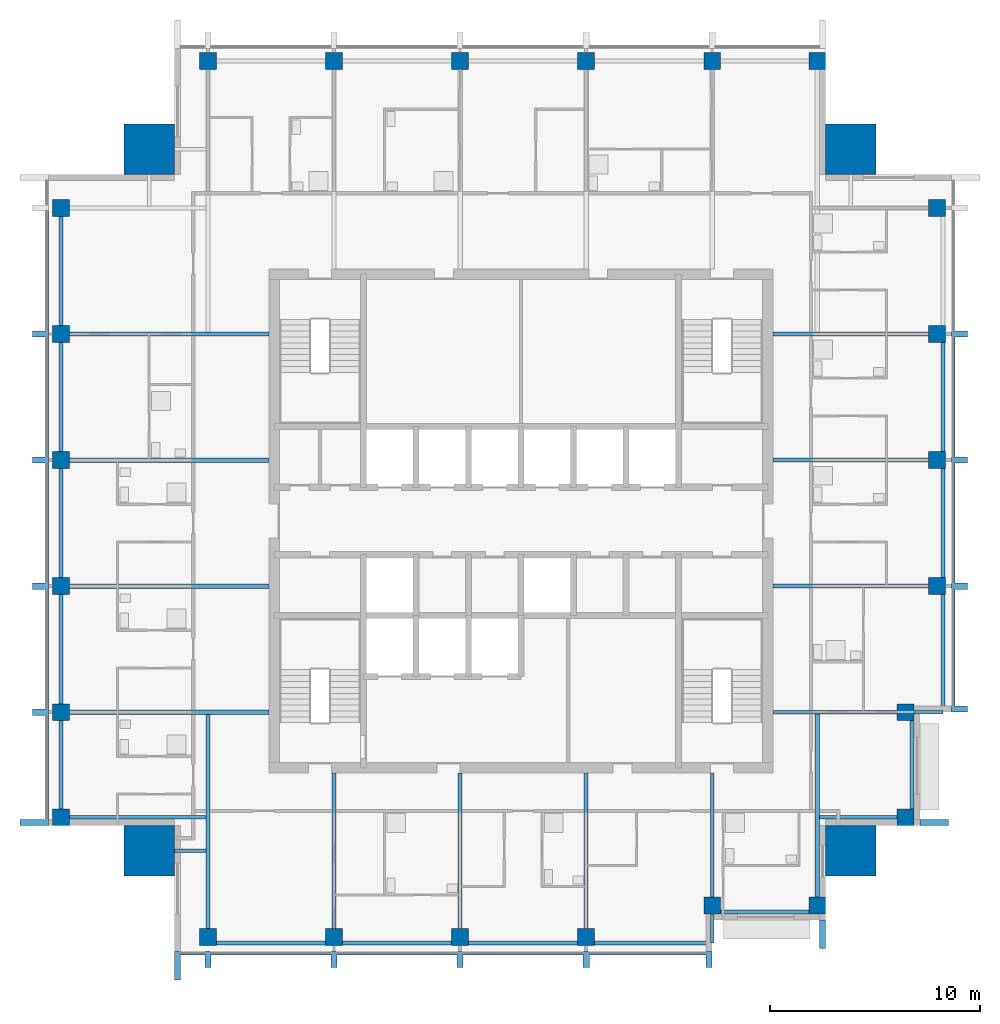
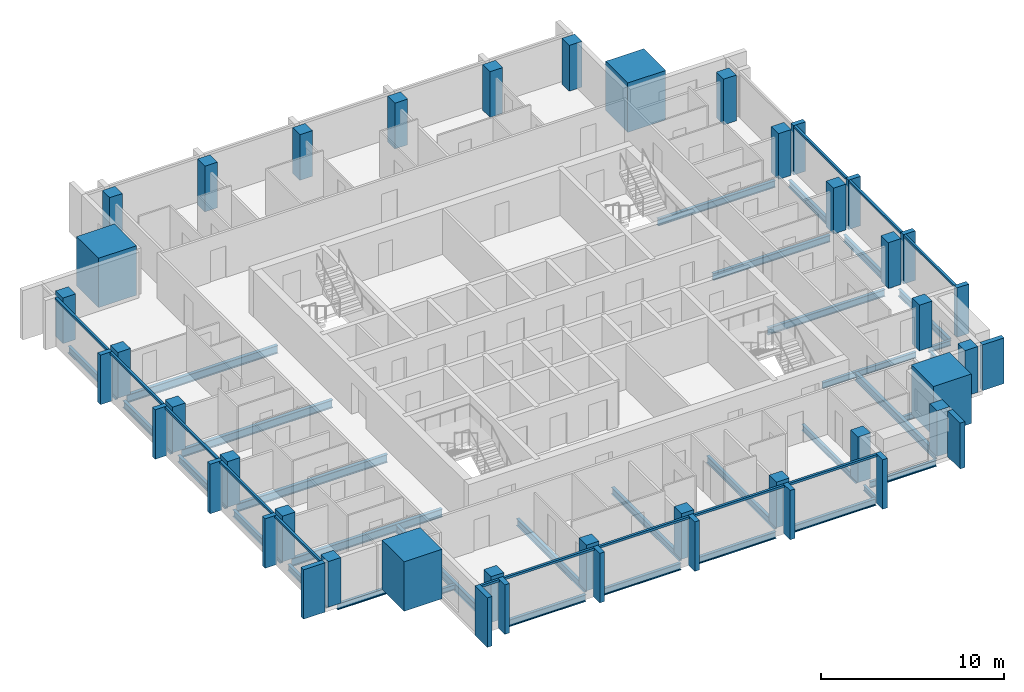
# One storey, part 1 of 9: 33 beams, 30 members, 28 columns, 3 elements without a shape of their own.
"""IFC4 building model written with IfcOpenShell, lengths in metres."""

from ifc_helpers import new_model, si_unit, direction, frame, origin, origin_2d, place, context, subcontext, project, spatial, rectangle, i_section, extrude, material, material_profile, profile_set, type_object, element, aggregate, save


model = new_model("IFC4")

# Units and contexts
model_context = context("Model", 3, precision=1e-05, world=origin(), true_north=direction((0.0, 1.0)))
body_context = subcontext(model_context, "Body", "Model", "MODEL_VIEW")
ifc_project = project(units=[si_unit("LENGTHUNIT", "METRE"), si_unit("AREAUNIT", "SQUARE_METRE"), si_unit("VOLUMEUNIT", "CUBIC_METRE"), si_unit("PLANEANGLEUNIT", "RADIAN"), si_unit("MASSUNIT", "GRAM", prefix="KILO")], contexts=[model_context])

# Site, building, storey
site_placement = place(None, origin())
site = spatial("IfcSite", under=ifc_project, at=site_placement, CompositionType="ELEMENT")
building_placement = place(site_placement, origin())
building = spatial("IfcBuilding", under=site, at=building_placement, Name="Amberfall Residences", CompositionType="ELEMENT")
storey_placement = place(building_placement, frame((0.0, 0.0, 245.5)))
storey = spatial("IfcBuildingStorey", under=building, at=storey_placement, Name="L65", CompositionType="ELEMENT", Elevation=245.5)

# Columns
ifc_material_1 = material(Name="Concrete C50", Category="concrete")
ifc_material_profile_1 = material_profile(ifc_material_1, rectangle(XDim=0.800048828125, YDim=0.800048828125, at=origin_2d()), Name="Column 800 x 800 C50")
ifc_profile_set_1 = profile_set([ifc_material_profile_1], Name="Concrete C50")
column_type_1 = type_object("IfcColumnType", Name="Column 800 x 800 C50", PredefinedType="COLUMN", material=ifc_profile_set_1)
for number, where, z_axis, x_axis, name in (
    (1, (59.60009765625, 25.699951171875, 0.0), (0.0, 0.0, 1.0), (1.0, 0.0, 0.0), "Column C5 L65 S1"),
    (2, (65.60009765625, 25.699951171875, 0.0), (0.0, 0.0, 1.0), (1.0, 0.0, 0.0), "Column C5 L65 S2"),
    (3, (71.60009765625, 25.699951171875, 0.0), (0.0, 0.0, 1.0), (1.0, 0.0, 0.0), "Column C5 L65 S3"),
    (4, (77.60009765625, 25.699951171875, 0.0), (0.0, 0.0, 1.0), (1.0, 0.0, 0.0), "Column C5 L65 S4"),
    (5, (83.60009765625, 27.199951171875, 0.0), (0.0, 0.0, 1.0), (1.0, 0.0, 0.0), "Column C5 L65 S5"),
    (6, (88.60009765625, 27.199951171875, 0.0), (0.0, 0.0, 1.0), (1.0, 0.0, 0.0), "Column C5 L65 S6"),
    (7, (92.800048828125, 31.39990234375, 0.0), (0.0, 0.0, 1.0), (1.0, 0.0, 0.0), "Column C5 L65 E1"),
    (8, (92.800048828125, 36.39990234375, 0.0), (0.0, 0.0, 1.0), (1.0, 0.0, 0.0), "Column C5 L65 E2"),
    (9, (94.300048828125, 42.39990234375, 0.0), (0.0, 0.0, 1.0), (1.0, 0.0, 0.0), "Column C5 L65 E3"),
    (10, (94.300048828125, 48.39990234375, 0.0), (0.0, 0.0, 1.0), (1.0, 0.0, 0.0), "Column C5 L65 E4"),
    (11, (94.300048828125, 54.39990234375, 0.0), (0.0, 0.0, 1.0), (1.0, 0.0, 0.0), "Column C5 L65 E5"),
    (12, (94.300048828125, 60.39990234375, 0.0), (0.0, 0.0, 1.0), (1.0, 0.0, 0.0), "Column C5 L65 E6"),
    (13, (59.60009765625, 67.39990234375, 0.0), (0.0, 0.0, 1.0), (1.0, 0.0, 0.0), "Column C5 L65 N1"),
    (14, (65.60009765625, 67.39990234375, 0.0), (0.0, 0.0, 1.0), (1.0, 0.0, 0.0), "Column C5 L65 N2"),
    (15, (71.60009765625, 67.39990234375, 0.0), (0.0, 0.0, 1.0), (1.0, 0.0, 0.0), "Column C5 L65 N3"),
    (16, (77.60009765625, 67.39990234375, 0.0), (0.0, 0.0, 1.0), (1.0, 0.0, 0.0), "Column C5 L65 N4"),
    (17, (83.60009765625, 67.39990234375, 0.0), (0.0, 0.0, 1.0), (1.0, 0.0, 0.0), "Column C5 L65 N5"),
    (18, (88.60009765625, 67.39990234375, 0.0), (0.0, 0.0, 1.0), (1.0, 0.0, 0.0), "Column C5 L65 N6"),
    (19, (52.60009765625, 31.39990234375, 0.0), (0.0, 0.0, 1.0), (1.0, 0.0, 0.0), "Column C5 L65 W1"),
    (20, (52.60009765625, 36.39990234375, 0.0), (0.0, 0.0, 1.0), (1.0, 0.0, 0.0), "Column C5 L65 W2"),
    (21, (52.60009765625, 42.39990234375, 0.0), (0.0, 0.0, 1.0), (1.0, 0.0, 0.0), "Column C5 L65 W3"),
    (22, (52.60009765625, 48.39990234375, 0.0), (0.0, 0.0, 1.0), (1.0, 0.0, 0.0), "Column C5 L65 W4"),
    (23, (52.60009765625, 54.39990234375, 0.0), (0.0, 0.0, 1.0), (1.0, 0.0, 0.0), "Column C5 L65 W5"),
    (24, (52.60009765625, 60.39990234375, 0.0), (0.0, 0.0, 1.0), (1.0, 0.0, 0.0), "Column C5 L65 W6"),
):
    element("IfcColumn", number, at=place(storey_placement, frame(where, z_axis=z_axis, x_axis=x_axis)), inside=storey, type_object=column_type_1, Name=name, PredefinedType="COLUMN", context=body_context, shape_type="SweptSolid", body=[
        extrude(rectangle(XDim=0.800048828125, YDim=0.800048828125, at=origin_2d()), origin(), (0.0, 0.0, 1.0), 3.050048828125),
    ])
ifc_material_profile_2 = material_profile(ifc_material_1, rectangle(XDim=2.39990234375, YDim=2.39990234375, at=origin_2d()), Name="Mega column 2400 x 2400 C50")
ifc_profile_set_2 = profile_set([ifc_material_profile_2], Name="Concrete C50")
column_type_2 = type_object("IfcColumnType", Name="Mega column 2400 x 2400 C50", PredefinedType="COLUMN", material=ifc_profile_set_2)
for number, where, z_axis, x_axis, name in (
    (25, (56.800048828125, 29.800048828125, 0.0), (0.0, 0.0, 1.0), (1.0, 0.0, 0.0), "Mega column MC11 L65 SW"),
    (26, (90.199951171875, 29.800048828125, 0.0), (0.0, 0.0, 1.0), (1.0, 0.0, 0.0), "Mega column MC11 L65 SE"),
    (27, (90.199951171875, 63.199951171875, 0.0), (0.0, 0.0, 1.0), (1.0, 0.0, 0.0), "Mega column MC11 L65 NE"),
    (28, (56.800048828125, 63.199951171875, 0.0), (0.0, 0.0, 1.0), (1.0, 0.0, 0.0), "Mega column MC11 L65 NW"),
):
    element("IfcColumn", number, at=place(storey_placement, frame(where, z_axis=z_axis, x_axis=x_axis)), inside=storey, type_object=column_type_2, Name=name, PredefinedType="COLUMN", context=body_context, shape_type="SweptSolid", body=[
        extrude(rectangle(XDim=2.39990234375, YDim=2.39990234375, at=origin_2d()), origin(), (0.0, 0.0, 1.0), 3.300048828125),
    ])

# Curtain wall, members
ifc_material_2 = material(Name="Bronze anodised aluminium and glass", Category="aluminium")
curtain_wall_type = type_object("IfcCurtainWallType", Name="Curtain wall CW1 tower unit", PredefinedType="USERDEFINED", material=ifc_material_2)
curtain_wall_1_placement = place(storey_placement, origin())
curtain_wall_1 = element("IfcCurtainWall", 29, at=curtain_wall_1_placement, inside=storey, type_object=curtain_wall_type, Name="Curtain wall L65 S S1", ObjectType="UNITISED CURTAIN WALL", PredefinedType="USERDEFINED")
ifc_material_3 = material(Name="Bronze anodised aluminium", Category="aluminium")
ifc_material_profile_3 = material_profile(ifc_material_3, rectangle(XDim=0.14990234375, YDim=0.14990234375, at=origin_2d()), Name="CW1 transom 150 x 150 bronze")
ifc_profile_set_3 = profile_set([ifc_material_profile_3], Name="Bronze anodised aluminium")
member_type_1 = type_object("IfcMemberType", Name="CW1 transom 150 x 150 bronze", PredefinedType="USERDEFINED", material=ifc_profile_set_3)
member_1_placement = place(storey_placement, frame((58.300048828125, 24.925048828125, 2.97509765625), z_axis=(1.0, 0.0, 0.0), x_axis=(0.0, 1.0, 0.0)))
member_1 = element("IfcMember", 30, at=member_1_placement, type_object=member_type_1, Name="CW1 transom 1.1", ObjectType="TRANSOM", PredefinedType="USERDEFINED", context=body_context, shape_type="SweptSolid", body=[
    extrude(rectangle(XDim=0.14990234375, YDim=0.14990234375, at=origin_2d()), origin(), (0.0, 0.0, 1.0), 1.14990234375),
])
member_2_placement = place(storey_placement, frame((59.75, 24.925048828125, 2.97509765625), z_axis=(1.0, 0.0, 0.0), x_axis=(0.0, 1.0, 0.0)))
member_2 = element("IfcMember", 31, at=member_2_placement, type_object=member_type_1, Name="CW1 transom 2.1", ObjectType="TRANSOM", PredefinedType="USERDEFINED", context=body_context, shape_type="SweptSolid", body=[
    extrude(rectangle(XDim=0.14990234375, YDim=0.14990234375, at=origin_2d()), origin(), (0.0, 0.0, 1.0), 5.699951171875),
])
member_3_placement = place(storey_placement, frame((65.75, 24.925048828125, 2.97509765625), z_axis=(1.0, 0.0, 0.0), x_axis=(0.0, 1.0, 0.0)))
member_3 = element("IfcMember", 32, at=member_3_placement, type_object=member_type_1, Name="CW1 transom 3.1", ObjectType="TRANSOM", PredefinedType="USERDEFINED", context=body_context, shape_type="SweptSolid", body=[
    extrude(rectangle(XDim=0.14990234375, YDim=0.14990234375, at=origin_2d()), origin(), (0.0, 0.0, 1.0), 5.699951171875),
])
member_4_placement = place(storey_placement, frame((71.75, 24.925048828125, 2.97509765625), z_axis=(1.0, 0.0, 0.0), x_axis=(0.0, 1.0, 0.0)))
member_4 = element("IfcMember", 33, at=member_4_placement, type_object=member_type_1, Name="CW1 transom 4.1", ObjectType="TRANSOM", PredefinedType="USERDEFINED", context=body_context, shape_type="SweptSolid", body=[
    extrude(rectangle(XDim=0.14990234375, YDim=0.14990234375, at=origin_2d()), origin(), (0.0, 0.0, 1.0), 5.699951171875),
])
member_5_placement = place(storey_placement, frame((77.75, 24.925048828125, 2.97509765625), z_axis=(1.0, 0.0, 0.0), x_axis=(0.0, 1.0, 0.0)))
member_5 = element("IfcMember", 34, at=member_5_placement, type_object=member_type_1, Name="CW1 transom 5.1", ObjectType="TRANSOM", PredefinedType="USERDEFINED", context=body_context, shape_type="SweptSolid", body=[
    extrude(rectangle(XDim=0.14990234375, YDim=0.14990234375, at=origin_2d()), origin(), (0.0, 0.0, 1.0), 5.550048828125),
])

curtain_wall_2_placement = place(storey_placement, origin())
curtain_wall_2 = element("IfcCurtainWall", 35, at=curtain_wall_2_placement, inside=storey, type_object=curtain_wall_type, Name="Curtain wall L65 E E3", ObjectType="UNITISED CURTAIN WALL", PredefinedType="USERDEFINED")
member_6_placement = place(storey_placement, frame((95.074951171875, 36.699951171875, 2.97509765625), z_axis=(0.0, 1.0, 0.0), x_axis=(-1.0, 0.0, 0.0)))
member_6 = element("IfcMember", 36, at=member_6_placement, type_object=member_type_1, Name="CW1 transom 1.1", ObjectType="TRANSOM", PredefinedType="USERDEFINED", context=body_context, shape_type="SweptSolid", body=[
    extrude(rectangle(XDim=0.14990234375, YDim=0.14990234375, at=origin_2d()), origin(), (0.0, 0.0, 1.0), 5.550048828125),
])
member_7_placement = place(storey_placement, frame((95.074951171875, 42.550048828125, 2.97509765625), z_axis=(0.0, 1.0, 0.0), x_axis=(-1.0, 0.0, 0.0)))
member_7 = element("IfcMember", 37, at=member_7_placement, type_object=member_type_1, Name="CW1 transom 2.1", ObjectType="TRANSOM", PredefinedType="USERDEFINED", context=body_context, shape_type="SweptSolid", body=[
    extrude(rectangle(XDim=0.14990234375, YDim=0.14990234375, at=origin_2d()), origin(), (0.0, 0.0, 1.0), 5.699951171875),
])
member_8_placement = place(storey_placement, frame((95.074951171875, 48.550048828125, 2.97509765625), z_axis=(0.0, 1.0, 0.0), x_axis=(-1.0, 0.0, 0.0)))
member_8 = element("IfcMember", 38, at=member_8_placement, type_object=member_type_1, Name="CW1 transom 3.1", ObjectType="TRANSOM", PredefinedType="USERDEFINED", context=body_context, shape_type="SweptSolid", body=[
    extrude(rectangle(XDim=0.14990234375, YDim=0.14990234375, at=origin_2d()), origin(), (0.0, 0.0, 1.0), 5.699951171875),
])

curtain_wall_3_placement = place(storey_placement, origin())
curtain_wall_3 = element("IfcCurtainWall", 39, at=curtain_wall_3_placement, inside=storey, type_object=curtain_wall_type, Name="Curtain wall L65 W W1", ObjectType="UNITISED CURTAIN WALL", PredefinedType="USERDEFINED")
member_9_placement = place(storey_placement, frame((51.925048828125, 60.25, 2.97509765625), z_axis=(0.0, -1.0, 0.0), x_axis=(1.0, 0.0, 0.0)))
member_9 = element("IfcMember", 40, at=member_9_placement, type_object=member_type_1, Name="CW1 transom 2.1", ObjectType="TRANSOM", PredefinedType="USERDEFINED", context=body_context, shape_type="SweptSolid", body=[
    extrude(rectangle(XDim=0.14990234375, YDim=0.14990234375, at=origin_2d()), origin(), (0.0, 0.0, 1.0), 5.699951171875),
])
member_10_placement = place(storey_placement, frame((51.925048828125, 54.25, 2.97509765625), z_axis=(0.0, -1.0, 0.0), x_axis=(1.0, 0.0, 0.0)))
member_10 = element("IfcMember", 41, at=member_10_placement, type_object=member_type_1, Name="CW1 transom 3.1", ObjectType="TRANSOM", PredefinedType="USERDEFINED", context=body_context, shape_type="SweptSolid", body=[
    extrude(rectangle(XDim=0.14990234375, YDim=0.14990234375, at=origin_2d()), origin(), (0.0, 0.0, 1.0), 5.699951171875),
])
member_11_placement = place(storey_placement, frame((51.925048828125, 48.25, 2.97509765625), z_axis=(0.0, -1.0, 0.0), x_axis=(1.0, 0.0, 0.0)))
member_11 = element("IfcMember", 42, at=member_11_placement, type_object=member_type_1, Name="CW1 transom 4.1", ObjectType="TRANSOM", PredefinedType="USERDEFINED", context=body_context, shape_type="SweptSolid", body=[
    extrude(rectangle(XDim=0.14990234375, YDim=0.14990234375, at=origin_2d()), origin(), (0.0, 0.0, 1.0), 5.699951171875),
])
member_12_placement = place(storey_placement, frame((51.925048828125, 42.25, 2.97509765625), z_axis=(0.0, -1.0, 0.0), x_axis=(1.0, 0.0, 0.0)))
member_12 = element("IfcMember", 43, at=member_12_placement, type_object=member_type_1, Name="CW1 transom 5.1", ObjectType="TRANSOM", PredefinedType="USERDEFINED", context=body_context, shape_type="SweptSolid", body=[
    extrude(rectangle(XDim=0.14990234375, YDim=0.14990234375, at=origin_2d()), origin(), (0.0, 0.0, 1.0), 5.699951171875),
])
member_13_placement = place(storey_placement, frame((51.925048828125, 36.25, 2.97509765625), z_axis=(0.0, -1.0, 0.0), x_axis=(1.0, 0.0, 0.0)))
member_13 = element("IfcMember", 44, at=member_13_placement, type_object=member_type_1, Name="CW1 transom 6.1", ObjectType="TRANSOM", PredefinedType="USERDEFINED", context=body_context, shape_type="SweptSolid", body=[
    extrude(rectangle(XDim=0.14990234375, YDim=0.14990234375, at=origin_2d()), origin(), (0.0, 0.0, 1.0), 4.949951171875),
])

# Beams
ifc_material_4 = material(Name="Steel S355", Category="steel")
ifc_material_profile_4 = material_profile(ifc_material_4, i_section(OverallWidth=0.171142578125, OverallDepth=0.351318359375, WebThickness=0.007080078125, FlangeThickness=0.009765625, FilletRadius=0.01025390625, at=origin_2d()), Name="UB 356x171x45")
ifc_profile_set_4 = profile_set([ifc_material_profile_4], Name="Steel S355")
beam_type_1 = type_object("IfcBeamType", Name="Cantilever girder UB 356x171x45", PredefinedType="BEAM", material=ifc_profile_set_4)
for number, where, z_axis, x_axis, name in (
    (45, (83.60009765625, 26.800048828125, -0.42578125), (0.0, -1.0, 0.0), (1.0, 0.0, 0.0), "Cantilever girder B8 L65 06"),
    (46, (93.199951171875, 36.39990234375, -0.42578125), (1.0, 0.0, 0.0), (0.0, 1.0, 0.0), "Cantilever girder B8 L65 18"),
):
    element("IfcBeam", number, at=place(storey_placement, frame(where, z_axis=z_axis, x_axis=x_axis)), inside=storey, type_object=beam_type_1, Name=name, PredefinedType="BEAM", context=body_context, shape_type="SweptSolid", body=[
        extrude(i_section(OverallWidth=0.171142578125, OverallDepth=0.351318359375, WebThickness=0.007080078125, FlangeThickness=0.009765625, FilletRadius=0.01025390625, at=origin_2d()), origin(), (0.0, 0.0, 1.0), 1.400146484375),
    ])

# Member
ifc_material_profile_5 = material_profile(ifc_material_3, rectangle(XDim=1.35009765625, YDim=0.300048828125, at=origin_2d()), Name="Corner fin 300 x 1350 bronze")
ifc_profile_set_5 = profile_set([ifc_material_profile_5], Name="Bronze anodised aluminium")
member_type_2 = type_object("IfcMemberType", Name="Corner fin 300 x 1350 bronze", PredefinedType="MULLION", material=ifc_profile_set_5)
member_14_placement = place(storey_placement, frame((58.14990234375, 24.324951171875, -0.25), z_axis=(0.0, 0.0, 1.0), x_axis=(0.0, 1.0, 0.0)))
member_14 = element("IfcMember", 47, at=member_14_placement, type_object=member_type_2, Name="CW FIN 1", PredefinedType="MULLION", context=body_context, shape_type="SweptSolid", body=[
    extrude(rectangle(XDim=1.35009765625, YDim=0.300048828125, at=origin_2d()), origin(), (0.0, 0.0, 1.0), 3.300048828125),
])

member_15_placement = place(storey_placement, frame((51.324951171875, 31.14990234375, -0.25), z_axis=(0.0, 0.0, 1.0), x_axis=(1.0, 0.0, 0.0)))
member_15 = element("IfcMember", 48, at=member_15_placement, type_object=member_type_2, Name="CW FIN 7", PredefinedType="MULLION", context=body_context, shape_type="SweptSolid", body=[
    extrude(rectangle(XDim=1.35009765625, YDim=0.300048828125, at=origin_2d()), origin(), (0.0, 0.0, 1.0), 3.300048828125),
])

# Beams
ifc_material_profile_6 = material_profile(ifc_material_4, i_section(OverallWidth=0.177734375, OverallDepth=0.402587890625, WebThickness=0.0078125, FlangeThickness=0.010986328125, FilletRadius=0.01025390625, at=origin_2d()), Name="UB 406x178x54")
ifc_profile_set_6 = profile_set([ifc_material_profile_6], Name="Steel S355")
beam_type_2 = type_object("IfcBeamType", Name="Edge beam UB 406x178x54", PredefinedType="SPANDREL", material=ifc_profile_set_6)
for number, where, z_axis, x_axis, name in (
    (49, (84.0, 26.89990234375, -0.451416015625), (1.0, 0.0, 0.0), (0.0, 1.0, 0.0), "Edge beam B14 L65 05"),
    (50, (93.10009765625, 31.800048828125, -0.451416015625), (0.0, 1.0, 0.0), (-1.0, 0.0, 0.0), "Edge beam B14 L65 13"),
    (51, (52.60009765625, 31.800048828125, -0.451416015625), (0.0, 1.0, 0.0), (-1.0, 0.0, 0.0), "Edge beam B14 L65 36"),
):
    element("IfcBeam", number, at=place(storey_placement, frame(where, z_axis=z_axis, x_axis=x_axis)), inside=storey, type_object=beam_type_2, Name=name, PredefinedType="SPANDREL", context=body_context, shape_type="SweptSolid", body=[
        extrude(i_section(OverallWidth=0.177734375, OverallDepth=0.402587890625, WebThickness=0.0078125, FlangeThickness=0.010986328125, FilletRadius=0.01025390625, at=origin_2d()), origin(), (0.0, 0.0, 1.0), 4.199951171875),
    ])
ifc_material_profile_7 = material_profile(ifc_material_4, i_section(OverallWidth=0.18994140625, OverallDepth=0.453369140625, WebThickness=0.008544921875, FlangeThickness=0.0126953125, FilletRadius=0.01025390625, at=origin_2d()), Name="UB 457x191x67")
ifc_profile_set_7 = profile_set([ifc_material_profile_7], Name="Steel S355")
beam_type_3 = type_object("IfcBeamType", Name="Edge beam UB 457x191x67", PredefinedType="SPANDREL", material=ifc_profile_set_7)
for number, where, z_axis, x_axis, name in (
    (52, (60.0, 25.39990234375, -0.476806640625), (1.0, 0.0, 0.0), (0.0, 1.0, 0.0), "Edge beam B1 L65 01"),
    (53, (66.0, 25.39990234375, -0.476806640625), (1.0, 0.0, 0.0), (0.0, 1.0, 0.0), "Edge beam B1 L65 02"),
    (54, (72.0, 25.39990234375, -0.476806640625), (1.0, 0.0, 0.0), (0.0, 1.0, 0.0), "Edge beam B1 L65 03"),
):
    element("IfcBeam", number, at=place(storey_placement, frame(where, z_axis=z_axis, x_axis=x_axis)), inside=storey, type_object=beam_type_3, Name=name, PredefinedType="SPANDREL", context=body_context, shape_type="SweptSolid", body=[
        extrude(i_section(OverallWidth=0.18994140625, OverallDepth=0.453369140625, WebThickness=0.008544921875, FlangeThickness=0.0126953125, FilletRadius=0.01025390625, at=origin_2d()), origin(), (0.0, 0.0, 1.0), 5.199951171875),
    ])
for number, where, z_axis, x_axis, name in (
    (55, (78.0, 25.39990234375, -0.476806640625), (1.0, 0.0, 0.0), (0.0, 1.0, 0.0), "Edge beam B1 L65 04"),
    (56, (94.60009765625, 36.47998046875, -0.476806640625), (0.0, 1.0, 0.0), (-1.0, 0.0, 0.0), "Edge beam B1 L65 14"),
):
    element("IfcBeam", number, at=place(storey_placement, frame(where, z_axis=z_axis, x_axis=x_axis)), inside=storey, type_object=beam_type_3, Name=name, PredefinedType="SPANDREL", context=body_context, shape_type="SweptSolid", body=[
        extrude(i_section(OverallWidth=0.18994140625, OverallDepth=0.453369140625, WebThickness=0.008544921875, FlangeThickness=0.0126953125, FilletRadius=0.01025390625, at=origin_2d()), origin(), (0.0, 0.0, 1.0), 5.52001953125),
    ])
for number, where, z_axis, x_axis, name in (
    (57, (94.60009765625, 42.800048828125, -0.476806640625), (0.0, 1.0, 0.0), (-1.0, 0.0, 0.0), "Edge beam B1 L65 15"),
    (58, (94.60009765625, 48.800048828125, -0.476806640625), (0.0, 1.0, 0.0), (-1.0, 0.0, 0.0), "Edge beam B1 L65 16"),
    (59, (52.60009765625, 36.800048828125, -0.476806640625), (0.0, 1.0, 0.0), (-1.0, 0.0, 0.0), "Edge beam B1 L65 37"),
    (60, (52.60009765625, 42.800048828125, -0.476806640625), (0.0, 1.0, 0.0), (-1.0, 0.0, 0.0), "Edge beam B1 L65 38"),
    (61, (52.60009765625, 48.800048828125, -0.476806640625), (0.0, 1.0, 0.0), (-1.0, 0.0, 0.0), "Edge beam B1 L65 39"),
    (62, (52.60009765625, 54.800048828125, -0.476806640625), (0.0, 1.0, 0.0), (-1.0, 0.0, 0.0), "Edge beam B1 L65 40"),
):
    element("IfcBeam", number, at=place(storey_placement, frame(where, z_axis=z_axis, x_axis=x_axis)), inside=storey, type_object=beam_type_3, Name=name, PredefinedType="SPANDREL", context=body_context, shape_type="SweptSolid", body=[
        extrude(i_section(OverallWidth=0.18994140625, OverallDepth=0.453369140625, WebThickness=0.008544921875, FlangeThickness=0.0126953125, FilletRadius=0.01025390625, at=origin_2d()), origin(), (0.0, 0.0, 1.0), 5.199951171875),
    ])

# Member
ifc_material_profile_8 = material_profile(ifc_material_3, rectangle(XDim=0.75, YDim=0.300048828125, at=origin_2d()), Name="Fin 300 x 750 bronze")
ifc_profile_set_8 = profile_set([ifc_material_profile_8], Name="Bronze anodised aluminium")
member_type_3 = type_object("IfcMemberType", Name="Fin 300 x 750 bronze", PredefinedType="MULLION", material=ifc_profile_set_8)
member_16_placement = place(storey_placement, frame((59.60009765625, 24.625, -0.25), z_axis=(0.0, 0.0, 1.0), x_axis=(0.0, 1.0, 0.0)))
member_16 = element("IfcMember", 63, at=member_16_placement, type_object=member_type_3, Name="CW FIN 2", PredefinedType="MULLION", context=body_context, shape_type="SweptSolid", body=[
    extrude(rectangle(XDim=0.75, YDim=0.300048828125, at=origin_2d()), origin(), (0.0, 0.0, 1.0), 3.300048828125),
])

member_17_placement = place(storey_placement, frame((65.60009765625, 24.625, -0.25), z_axis=(0.0, 0.0, 1.0), x_axis=(0.0, 1.0, 0.0)))
member_17 = element("IfcMember", 64, at=member_17_placement, type_object=member_type_3, Name="CW FIN 3", PredefinedType="MULLION", context=body_context, shape_type="SweptSolid", body=[
    extrude(rectangle(XDim=0.75, YDim=0.300048828125, at=origin_2d()), origin(), (0.0, 0.0, 1.0), 3.300048828125),
])

member_18_placement = place(storey_placement, frame((71.60009765625, 24.625, -0.25), z_axis=(0.0, 0.0, 1.0), x_axis=(0.0, 1.0, 0.0)))
member_18 = element("IfcMember", 65, at=member_18_placement, type_object=member_type_3, Name="CW FIN 4", PredefinedType="MULLION", context=body_context, shape_type="SweptSolid", body=[
    extrude(rectangle(XDim=0.75, YDim=0.300048828125, at=origin_2d()), origin(), (0.0, 0.0, 1.0), 3.300048828125),
])

member_19_placement = place(storey_placement, frame((77.60009765625, 24.625, -0.25), z_axis=(0.0, 0.0, 1.0), x_axis=(0.0, 1.0, 0.0)))
member_19 = element("IfcMember", 66, at=member_19_placement, type_object=member_type_3, Name="CW FIN 5", PredefinedType="MULLION", context=body_context, shape_type="SweptSolid", body=[
    extrude(rectangle(XDim=0.75, YDim=0.300048828125, at=origin_2d()), origin(), (0.0, 0.0, 1.0), 3.300048828125),
])

member_20_placement = place(storey_placement, frame((83.449951171875, 24.625, -0.25), z_axis=(0.0, 0.0, 1.0), x_axis=(0.0, 1.0, 0.0)))
member_20 = element("IfcMember", 67, at=member_20_placement, type_object=member_type_3, Name="CW FIN 6", PredefinedType="MULLION", context=body_context, shape_type="SweptSolid", body=[
    extrude(rectangle(XDim=0.75, YDim=0.300048828125, at=origin_2d()), origin(), (0.0, 0.0, 1.0), 3.300048828125),
])

aggregate(curtain_wall_1, [member_14, member_16, member_17, member_18, member_19, member_20, member_1, member_2, member_3, member_4, member_5])

member_21_placement = place(storey_placement, frame((95.375, 36.550048828125, -0.25), z_axis=(0.0, 0.0, 1.0), x_axis=(-1.0, 0.0, 0.0)))
member_21 = element("IfcMember", 68, at=member_21_placement, type_object=member_type_3, Name="CW FIN 1", PredefinedType="MULLION", context=body_context, shape_type="SweptSolid", body=[
    extrude(rectangle(XDim=0.75, YDim=0.300048828125, at=origin_2d()), origin(), (0.0, 0.0, 1.0), 3.300048828125),
])

member_22_placement = place(storey_placement, frame((95.375, 42.39990234375, -0.25), z_axis=(0.0, 0.0, 1.0), x_axis=(-1.0, 0.0, 0.0)))
member_22 = element("IfcMember", 69, at=member_22_placement, type_object=member_type_3, Name="CW FIN 2", PredefinedType="MULLION", context=body_context, shape_type="SweptSolid", body=[
    extrude(rectangle(XDim=0.75, YDim=0.300048828125, at=origin_2d()), origin(), (0.0, 0.0, 1.0), 3.300048828125),
])

member_23_placement = place(storey_placement, frame((95.375, 48.39990234375, -0.25), z_axis=(0.0, 0.0, 1.0), x_axis=(-1.0, 0.0, 0.0)))
member_23 = element("IfcMember", 70, at=member_23_placement, type_object=member_type_3, Name="CW FIN 3", PredefinedType="MULLION", context=body_context, shape_type="SweptSolid", body=[
    extrude(rectangle(XDim=0.75, YDim=0.300048828125, at=origin_2d()), origin(), (0.0, 0.0, 1.0), 3.300048828125),
])

member_24_placement = place(storey_placement, frame((95.375, 54.39990234375, -0.25), z_axis=(0.0, 0.0, 1.0), x_axis=(-1.0, 0.0, 0.0)))
member_24 = element("IfcMember", 71, at=member_24_placement, type_object=member_type_3, Name="CW FIN 4", PredefinedType="MULLION", context=body_context, shape_type="SweptSolid", body=[
    extrude(rectangle(XDim=0.75, YDim=0.300048828125, at=origin_2d()), origin(), (0.0, 0.0, 1.0), 3.300048828125),
])

aggregate(curtain_wall_2, [member_21, member_22, member_23, member_24, member_6, member_7, member_8])

member_25_placement = place(storey_placement, frame((51.625, 54.39990234375, -0.25), z_axis=(0.0, 0.0, 1.0), x_axis=(1.0, 0.0, 0.0)))
member_25 = element("IfcMember", 72, at=member_25_placement, type_object=member_type_3, Name="CW FIN 3", PredefinedType="MULLION", context=body_context, shape_type="SweptSolid", body=[
    extrude(rectangle(XDim=0.75, YDim=0.300048828125, at=origin_2d()), origin(), (0.0, 0.0, 1.0), 3.300048828125),
])

member_26_placement = place(storey_placement, frame((51.625, 48.39990234375, -0.25), z_axis=(0.0, 0.0, 1.0), x_axis=(1.0, 0.0, 0.0)))
member_26 = element("IfcMember", 73, at=member_26_placement, type_object=member_type_3, Name="CW FIN 4", PredefinedType="MULLION", context=body_context, shape_type="SweptSolid", body=[
    extrude(rectangle(XDim=0.75, YDim=0.300048828125, at=origin_2d()), origin(), (0.0, 0.0, 1.0), 3.300048828125),
])

member_27_placement = place(storey_placement, frame((51.625, 42.39990234375, -0.25), z_axis=(0.0, 0.0, 1.0), x_axis=(1.0, 0.0, 0.0)))
member_27 = element("IfcMember", 74, at=member_27_placement, type_object=member_type_3, Name="CW FIN 5", PredefinedType="MULLION", context=body_context, shape_type="SweptSolid", body=[
    extrude(rectangle(XDim=0.75, YDim=0.300048828125, at=origin_2d()), origin(), (0.0, 0.0, 1.0), 3.300048828125),
])

member_28_placement = place(storey_placement, frame((51.625, 36.39990234375, -0.25), z_axis=(0.0, 0.0, 1.0), x_axis=(1.0, 0.0, 0.0)))
member_28 = element("IfcMember", 75, at=member_28_placement, type_object=member_type_3, Name="CW FIN 6", PredefinedType="MULLION", context=body_context, shape_type="SweptSolid", body=[
    extrude(rectangle(XDim=0.75, YDim=0.300048828125, at=origin_2d()), origin(), (0.0, 0.0, 1.0), 3.300048828125),
])

aggregate(curtain_wall_3, [member_25, member_26, member_27, member_28, member_15, member_9, member_10, member_11, member_12, member_13])

# Beams
ifc_material_profile_9 = material_profile(ifc_material_4, i_section(OverallWidth=0.171142578125, OverallDepth=0.351318359375, WebThickness=0.007080078125, FlangeThickness=0.009765625, FilletRadius=0.01025390625, at=origin_2d()), Name="UB 356x171x45")
ifc_profile_set_9 = profile_set([ifc_material_profile_9], Name="Steel S355")
beam_type_4 = type_object("IfcBeamType", Name="Floor girder UB 356x171x45", PredefinedType="BEAM", material=ifc_profile_set_9)
beam_1_placement = place(storey_placement, frame((92.39990234375, 31.39990234375, -0.42578125), z_axis=(-1.0, 0.0, 0.0), x_axis=(0.0, -1.0, 0.0)))
element("IfcBeam", 76, at=beam_1_placement, inside=storey, type_object=beam_type_4, Name="Floor girder B11 L65 19", PredefinedType="BEAM", context=body_context, shape_type="SweptSolid", body=[
    extrude(i_section(OverallWidth=0.171142578125, OverallDepth=0.351318359375, WebThickness=0.007080078125, FlangeThickness=0.009765625, FilletRadius=0.01025390625, at=origin_2d()), origin(), (0.0, 0.0, 1.0), 3.679931640625),
])
ifc_material_profile_10 = material_profile(ifc_material_4, i_section(OverallWidth=0.177734375, OverallDepth=0.402587890625, WebThickness=0.0078125, FlangeThickness=0.010986328125, FilletRadius=0.01025390625, at=origin_2d()), Name="UB 406x178x54")
ifc_profile_set_10 = profile_set([ifc_material_profile_10], Name="Steel S355")
beam_type_5 = type_object("IfcBeamType", Name="Floor girder UB 406x178x54", PredefinedType="BEAM", material=ifc_profile_set_10)
for number, where, z_axis, x_axis, name in (
    (77, (83.60009765625, 27.60009765625, -0.451416015625), (0.0, 1.0, 0.0), (-1.0, 0.0, 0.0), "Floor girder B4 L65 11"),
    (78, (92.39990234375, 36.39990234375, -0.451416015625), (-1.0, 0.0, 0.0), (0.0, -1.0, 0.0), "Floor girder B4 L65 20"),
):
    element("IfcBeam", number, at=place(storey_placement, frame(where, z_axis=z_axis, x_axis=x_axis)), inside=storey, type_object=beam_type_5, Name=name, PredefinedType="BEAM", context=body_context, shape_type="SweptSolid", body=[
        extrude(i_section(OverallWidth=0.177734375, OverallDepth=0.402587890625, WebThickness=0.0078125, FlangeThickness=0.010986328125, FilletRadius=0.01025390625, at=origin_2d()), origin(), (0.0, 0.0, 1.0), 5.89990234375),
    ])
beam_2_placement = place(storey_placement, frame((53.0, 31.39990234375, -0.451416015625), z_axis=(1.0, 0.0, 0.0), x_axis=(0.0, 1.0, 0.0)))
element("IfcBeam", 79, at=beam_2_placement, inside=storey, type_object=beam_type_5, Name="Floor girder B4 L65 41", PredefinedType="BEAM", context=body_context, shape_type="SweptSolid", body=[
    extrude(i_section(OverallWidth=0.177734375, OverallDepth=0.402587890625, WebThickness=0.0078125, FlangeThickness=0.010986328125, FilletRadius=0.01025390625, at=origin_2d()), origin(), (0.0, 0.0, 1.0), 6.47998046875),
])
ifc_material_profile_11 = material_profile(ifc_material_4, i_section(OverallWidth=0.19140625, OverallDepth=0.4599609375, WebThickness=0.010009765625, FlangeThickness=0.01611328125, FilletRadius=0.01025390625, at=origin_2d()), Name="UB 457x191x82")
ifc_profile_set_11 = profile_set([ifc_material_profile_11], Name="Steel S355")
beam_type_6 = type_object("IfcBeamType", Name="Floor girder UB 457x191x82", PredefinedType="BEAM", material=ifc_profile_set_11)
for number, where, z_axis, x_axis, name in (
    (80, (65.60009765625, 26.10009765625, -0.47998046875), (0.0, 1.0, 0.0), (-1.0, 0.0, 0.0), "Floor girder B10 L65 08"),
    (81, (71.60009765625, 26.10009765625, -0.47998046875), (0.0, 1.0, 0.0), (-1.0, 0.0, 0.0), "Floor girder B10 L65 09"),
    (82, (77.60009765625, 26.10009765625, -0.47998046875), (0.0, 1.0, 0.0), (-1.0, 0.0, 0.0), "Floor girder B10 L65 10"),
    (83, (93.89990234375, 42.39990234375, -0.47998046875), (-1.0, 0.0, 0.0), (0.0, -1.0, 0.0), "Floor girder B10 L65 21"),
    (84, (93.89990234375, 48.39990234375, -0.47998046875), (-1.0, 0.0, 0.0), (0.0, -1.0, 0.0), "Floor girder B10 L65 22"),
    (85, (93.89990234375, 54.39990234375, -0.47998046875), (-1.0, 0.0, 0.0), (0.0, -1.0, 0.0), "Floor girder B10 L65 23"),
):
    element("IfcBeam", number, at=place(storey_placement, frame(where, z_axis=z_axis, x_axis=x_axis)), inside=storey, type_object=beam_type_6, Name=name, PredefinedType="BEAM", context=body_context, shape_type="SweptSolid", body=[
        extrude(i_section(OverallWidth=0.19140625, OverallDepth=0.4599609375, WebThickness=0.010009765625, FlangeThickness=0.01611328125, FilletRadius=0.01025390625, at=origin_2d()), origin(), (0.0, 0.0, 1.0), 7.39990234375),
    ])
ifc_material_profile_12 = material_profile(ifc_material_4, i_section(OverallWidth=0.209228515625, OverallDepth=0.533203125, WebThickness=0.010009765625, FlangeThickness=0.015625, FilletRadius=0.0126953125, at=origin_2d()), Name="UB 533x210x92")
ifc_profile_set_12 = profile_set([ifc_material_profile_12], Name="Steel S355")
beam_type_7 = type_object("IfcBeamType", Name="Floor girder UB 533x210x92", PredefinedType="BEAM", material=ifc_profile_set_12)
beam_3_placement = place(storey_placement, frame((59.60009765625, 26.10009765625, -0.5166015625), z_axis=(0.0, 1.0, 0.0), x_axis=(-1.0, 0.0, 0.0)))
element("IfcBeam", 86, at=beam_3_placement, inside=storey, type_object=beam_type_7, Name="Floor girder B3 L65 07", PredefinedType="BEAM", context=body_context, shape_type="SweptSolid", body=[
    extrude(i_section(OverallWidth=0.209228515625, OverallDepth=0.533203125, WebThickness=0.010009765625, FlangeThickness=0.015625, FilletRadius=0.0126953125, at=origin_2d()), origin(), (0.0, 0.0, 1.0), 10.2001953125),
])
beam_4_placement = place(storey_placement, frame((88.60009765625, 27.60009765625, -0.5166015625), z_axis=(0.0, 1.0, 0.0), x_axis=(-1.0, 0.0, 0.0)))
element("IfcBeam", 87, at=beam_4_placement, inside=storey, type_object=beam_type_7, Name="Floor girder B3 L65 12", PredefinedType="BEAM", context=body_context, shape_type="SweptSolid", body=[
    extrude(i_section(OverallWidth=0.209228515625, OverallDepth=0.533203125, WebThickness=0.010009765625, FlangeThickness=0.015625, FilletRadius=0.0126953125, at=origin_2d()), origin(), (0.0, 0.0, 1.0), 8.716064453125),
])
for number, where, z_axis, x_axis, name in (
    (88, (53.0, 36.39990234375, -0.5166015625), (1.0, 0.0, 0.0), (0.0, 1.0, 0.0), "Floor girder B3 L65 42"),
    (89, (53.0, 42.39990234375, -0.5166015625), (1.0, 0.0, 0.0), (0.0, 1.0, 0.0), "Floor girder B3 L65 43"),
    (90, (53.0, 48.39990234375, -0.5166015625), (1.0, 0.0, 0.0), (0.0, 1.0, 0.0), "Floor girder B3 L65 44"),
    (91, (53.0, 54.39990234375, -0.5166015625), (1.0, 0.0, 0.0), (0.0, 1.0, 0.0), "Floor girder B3 L65 45"),
):
    element("IfcBeam", number, at=place(storey_placement, frame(where, z_axis=z_axis, x_axis=x_axis)), inside=storey, type_object=beam_type_7, Name=name, PredefinedType="BEAM", context=body_context, shape_type="SweptSolid", body=[
        extrude(i_section(OverallWidth=0.209228515625, OverallDepth=0.533203125, WebThickness=0.010009765625, FlangeThickness=0.015625, FilletRadius=0.0126953125, at=origin_2d()), origin(), (0.0, 0.0, 1.0), 9.5),
    ])
ifc_material_profile_13 = material_profile(ifc_material_4, i_section(OverallWidth=0.171142578125, OverallDepth=0.351318359375, WebThickness=0.007080078125, FlangeThickness=0.009765625, FilletRadius=0.01025390625, at=origin_2d()), Name="UB 356x171x45")
ifc_profile_set_13 = profile_set([ifc_material_profile_13], Name="Steel S355")
beam_type_8 = type_object("IfcBeamType", Name="Link beam UB 356x171x45", PredefinedType="BEAM", material=ifc_profile_set_13)
beam_5_placement = place(storey_placement, frame((58.0, 29.800048828125, -0.42578125), z_axis=(1.0, 0.0, 0.0), x_axis=(0.0, 1.0, 0.0)))
element("IfcBeam", 92, at=beam_5_placement, inside=storey, type_object=beam_type_8, Name="Link beam B7 L65 47", PredefinedType="BEAM", context=body_context, shape_type="SweptSolid", body=[
    extrude(i_section(OverallWidth=0.171142578125, OverallDepth=0.351318359375, WebThickness=0.007080078125, FlangeThickness=0.009765625, FilletRadius=0.01025390625, at=origin_2d()), origin(), (0.0, 0.0, 1.0), 1.50537109375),
])

# Members
ifc_material_profile_14 = material_profile(ifc_material_3, rectangle(XDim=1.35009765625, YDim=0.300048828125, at=origin_2d()), Name="Stone corner fin 300 x 1350 bronze")
ifc_profile_set_14 = profile_set([ifc_material_profile_14], Name="Bronze anodised aluminium")
member_type_4 = type_object("IfcMemberType", Name="Stone corner fin 300 x 1350 bronze", PredefinedType="MEMBER", material=ifc_profile_set_14)
for number, where, z_axis, x_axis, name in (
    (93, (88.85009765625, 25.824951171875, 0.0), (0.0, 0.0, 1.0), (0.0, 1.0, 0.0), "Corner fin S"),
    (94, (94.175048828125, 31.14990234375, 0.0), (0.0, 0.0, 1.0), (-1.0, 0.0, 0.0), "Corner fin E"),
):
    element("IfcMember", number, at=place(storey_placement, frame(where, z_axis=z_axis, x_axis=x_axis)), inside=storey, type_object=member_type_4, Name=name, PredefinedType="MEMBER", context=body_context, shape_type="SweptSolid", body=[
        extrude(rectangle(XDim=1.35009765625, YDim=0.300048828125, at=origin_2d()), origin(), (0.0, 0.0, 1.0), 3.050048828125),
    ])

save(model, "model.ifc")
